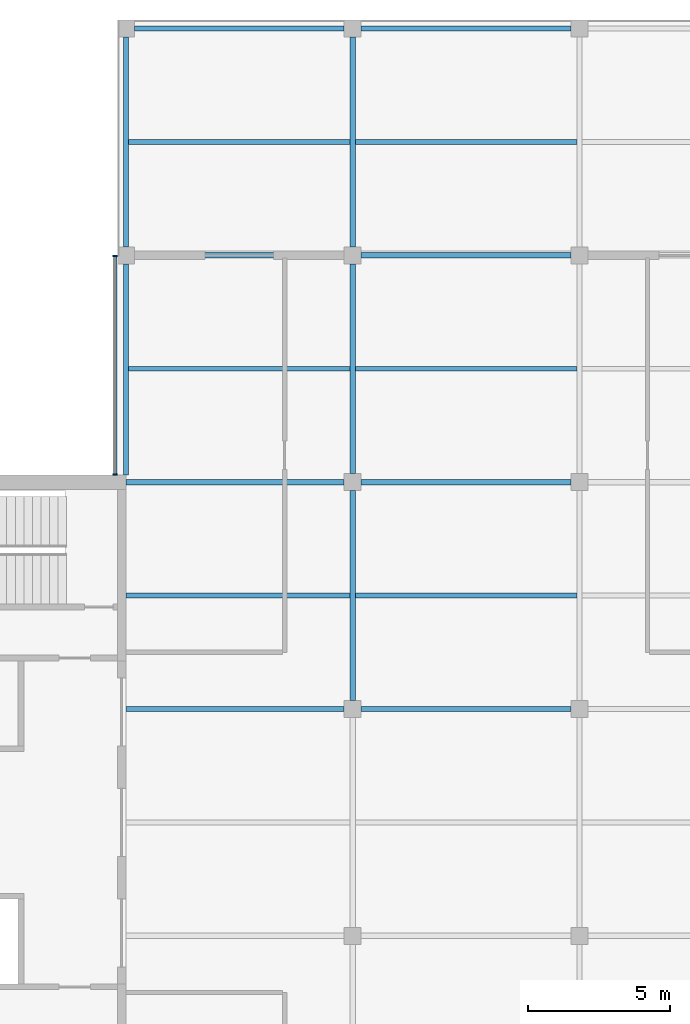
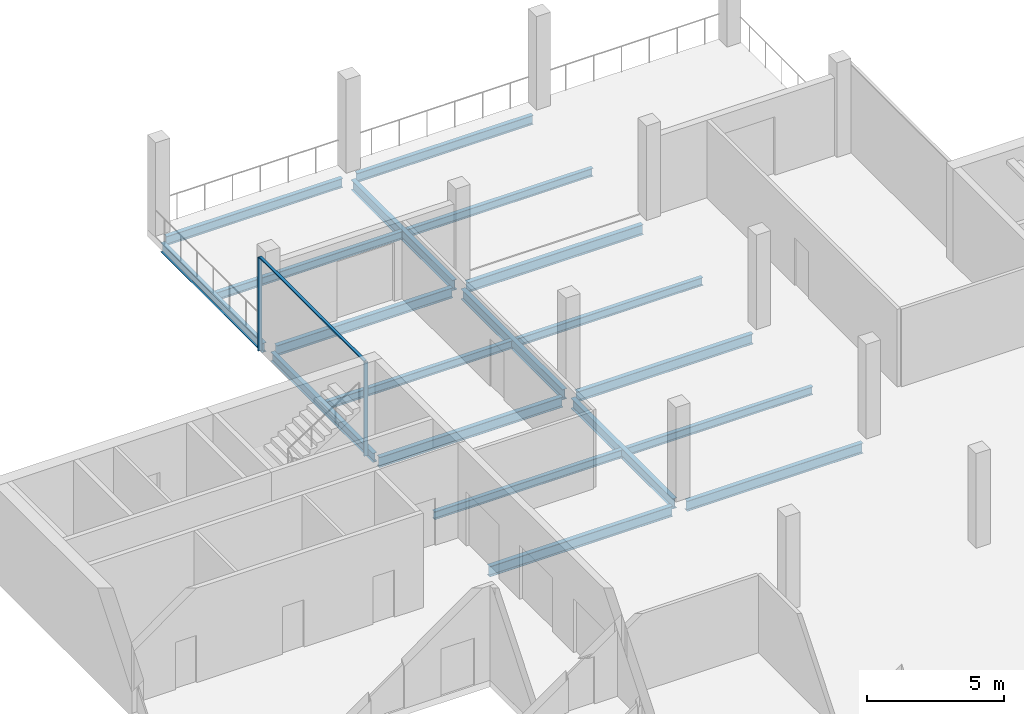
# One storey, part 5 of 12: 19 beams, 3 members, 1 element without a shape of its own.
"""IFC4 building model written with IfcOpenShell, lengths in metres."""

from ifc_helpers import new_model, si_unit, direction, frame, origin, origin_2d, place, context, subcontext, project, spatial, rectangle, i_section, extrude, material, material_profile, profile_set, type_object, element, aggregate, save


model = new_model("IFC4")

# Units and contexts
model_context = context("Model", 3, precision=1e-05, world=origin(), true_north=direction((0.0, 1.0)))
body_context = subcontext(model_context, "Body", "Model", "MODEL_VIEW")
ifc_project = project(units=[si_unit("LENGTHUNIT", "METRE"), si_unit("AREAUNIT", "SQUARE_METRE"), si_unit("VOLUMEUNIT", "CUBIC_METRE"), si_unit("PLANEANGLEUNIT", "RADIAN"), si_unit("MASSUNIT", "GRAM", prefix="KILO")], contexts=[model_context])

# Site, building, storey
site_placement = place(None, origin())
site = spatial("IfcSite", under=ifc_project, at=site_placement, CompositionType="ELEMENT")
building_placement = place(site_placement, origin())
building = spatial("IfcBuilding", under=site, at=building_placement, Name="Crosswind Convention Tower", CompositionType="ELEMENT")
storey_placement = place(building_placement, frame((0.0, 0.0, 328.10009765625)))
storey = spatial("IfcBuildingStorey", under=building, at=storey_placement, Name="L71", CompositionType="ELEMENT", Elevation=328.10009765625)

# Beams
ifc_material_1 = material(Name="Steel S355", Category="steel")
ifc_material_profile_1 = material_profile(ifc_material_1, i_section(OverallWidth=0.177734375, OverallDepth=0.406494140625, WebThickness=0.0078125, FlangeThickness=0.0126953125, FilletRadius=0.01025390625, at=origin_2d()), Name="UB 406x178x60")
ifc_profile_set_1 = profile_set([ifc_material_profile_1], Name="Steel S355")
beam_type_1 = type_object("IfcBeamType", Name="Edge beam UB 406x178x60", PredefinedType="SPANDREL", material=ifc_profile_set_1)
beam_1_placement = place(storey_placement, frame((113.0, 112.25, -0.50341796875), z_axis=(0.0, 1.0, 0.0), x_axis=(-1.0, 0.0, 0.0)))
element("IfcBeam", 1, at=beam_1_placement, inside=storey, type_object=beam_type_1, Name="B15 L71 edge beam 3", PredefinedType="SPANDREL", context=body_context, shape_type="SweptSolid", body=[
    extrude(i_section(OverallWidth=0.177734375, OverallDepth=0.406494140625, WebThickness=0.0078125, FlangeThickness=0.0126953125, FilletRadius=0.01025390625, at=origin_2d()), origin(), (0.0, 0.0, 1.0), 7.449951171875),
])
for number, where, z_axis, x_axis, name in (
    (2, (113.0, 120.300048828125, -0.50341796875), (0.0, 1.0, 0.0), (-1.0, 0.0, 0.0), "B15 L71 edge beam 4"),
    (3, (113.300048828125, 128.0, -0.50341796875), (1.0, 0.0, 0.0), (0.0, 1.0, 0.0), "B15 L71 edge beam 6"),
    (4, (121.300048828125, 128.0, -0.50341796875), (1.0, 0.0, 0.0), (0.0, 1.0, 0.0), "B15 L71 edge beam 8"),
):
    element("IfcBeam", number, at=place(storey_placement, frame(where, z_axis=z_axis, x_axis=x_axis)), inside=storey, type_object=beam_type_1, Name=name, PredefinedType="SPANDREL", context=body_context, shape_type="SweptSolid", body=[
        extrude(i_section(OverallWidth=0.177734375, OverallDepth=0.406494140625, WebThickness=0.0078125, FlangeThickness=0.0126953125, FilletRadius=0.01025390625, at=origin_2d()), origin(), (0.0, 0.0, 1.0), 7.39990234375),
    ])
ifc_material_profile_2 = material_profile(ifc_material_1, i_section(OverallWidth=0.18994140625, OverallDepth=0.45361328125, WebThickness=0.008544921875, FlangeThickness=0.0126953125, FilletRadius=0.01025390625, at=origin_2d()), Name="UB 457x191x67")
ifc_profile_set_2 = profile_set([ifc_material_profile_2], Name="Steel S355")
beam_type_2 = type_object("IfcBeamType", Name="Girder UB 457x191x67", PredefinedType="BEAM", material=ifc_profile_set_2)
for number, where, z_axis, x_axis, name in (
    (5, (113.300048828125, 120.0, -0.52685546875), (1.0, 0.0, 0.0), (0.0, 1.0, 0.0), "B1 L71 girder 2"),
    (6, (121.0, 104.300048828125, -0.52685546875), (0.0, 1.0, 0.0), (-1.0, 0.0, 0.0), "B1 L71 girder 7"),
    (7, (121.0, 112.300048828125, -0.52685546875), (0.0, 1.0, 0.0), (-1.0, 0.0, 0.0), "B1 L71 girder 8"),
    (8, (121.0, 120.300048828125, -0.52685546875), (0.0, 1.0, 0.0), (-1.0, 0.0, 0.0), "B1 L71 girder 9"),
    (9, (121.300048828125, 104.0, -0.52685546875), (1.0, 0.0, 0.0), (0.0, 1.0, 0.0), "B1 L71 girder 13"),
    (10, (121.300048828125, 112.0, -0.52685546875), (1.0, 0.0, 0.0), (0.0, 1.0, 0.0), "B1 L71 girder 14"),
    (11, (121.300048828125, 120.0, -0.52685546875), (1.0, 0.0, 0.0), (0.0, 1.0, 0.0), "B1 L71 girder 15"),
):
    element("IfcBeam", number, at=place(storey_placement, frame(where, z_axis=z_axis, x_axis=x_axis)), inside=storey, type_object=beam_type_2, Name=name, PredefinedType="BEAM", context=body_context, shape_type="SweptSolid", body=[
        extrude(i_section(OverallWidth=0.18994140625, OverallDepth=0.45361328125, WebThickness=0.008544921875, FlangeThickness=0.0126953125, FilletRadius=0.01025390625, at=origin_2d()), origin(), (0.0, 0.0, 1.0), 7.39990234375),
    ])
ifc_material_profile_3 = material_profile(ifc_material_1, i_section(OverallWidth=0.1904296875, OverallDepth=0.457275390625, WebThickness=0.009033203125, FlangeThickness=0.014404296875, FilletRadius=0.01025390625, at=origin_2d()), Name="UB 457x191x75")
ifc_profile_set_3 = profile_set([ifc_material_profile_3], Name="Steel S355")
beam_type_3 = type_object("IfcBeamType", Name="Girder at core wall UB 457x191x75", PredefinedType="BEAM", material=ifc_profile_set_3)
for number, where, z_axis, x_axis, name in (
    (12, (113.0, 104.0, -0.52880859375), (1.0, 0.0, 0.0), (0.0, 1.0, 0.0), "B22 L71 girder at core wall 3"),
    (13, (113.0, 112.0, -0.52880859375), (1.0, 0.0, 0.0), (0.0, 1.0, 0.0), "B22 L71 girder at core wall 4"),
):
    element("IfcBeam", number, at=place(storey_placement, frame(where, z_axis=z_axis, x_axis=x_axis)), inside=storey, type_object=beam_type_3, Name=name, PredefinedType="BEAM", context=body_context, shape_type="SweptSolid", body=[
        extrude(i_section(OverallWidth=0.1904296875, OverallDepth=0.457275390625, WebThickness=0.009033203125, FlangeThickness=0.014404296875, FilletRadius=0.01025390625, at=origin_2d()), origin(), (0.0, 0.0, 1.0), 7.699951171875),
    ])

# Curtain wall, members
ifc_material_2 = material(Name="Aluminium unitised curtain wall", Category="aluminium")
curtain_wall_type = type_object("IfcCurtainWallType", Name="CORE END SLOT WALL 160", PredefinedType="USERDEFINED", material=ifc_material_2)
curtain_wall_placement = place(storey_placement, origin())
curtain_wall = element("IfcCurtainWall", 14, at=curtain_wall_placement, inside=storey, type_object=curtain_wall_type, Name="CW6 L71 N-W.1-2 slot", ObjectType="UNITISED", PredefinedType="USERDEFINED")
ifc_material_3 = material(Name="Aluminium mullion", Category="aluminium")
ifc_material_profile_4 = material_profile(ifc_material_3, rectangle(XDim=0.159912109375, YDim=0.050048828125, at=origin_2d()), Name="AL 160X50")
ifc_profile_set_4 = profile_set([ifc_material_profile_4], Name="Aluminium mullion")
member_type_1 = type_object("IfcMemberType", Name="MULLION 50X160", PredefinedType="MULLION", material=ifc_profile_set_4)
member_1_placement = place(storey_placement, frame((112.6201171875, 119.97509765625, -0.300048828125), z_axis=(0.0, 0.0, 1.0), x_axis=(-1.0, 0.0, 0.0)))
member_1 = element("IfcMember", 15, at=member_1_placement, type_object=member_type_1, Name="CW6 mullion 1", PredefinedType="MULLION", context=body_context, shape_type="SweptSolid", body=[
    extrude(rectangle(XDim=0.159912109375, YDim=0.050048828125, at=origin_2d()), origin(), (0.0, 0.0, 1.0), 4.14990234375),
])
member_2_placement = place(storey_placement, frame((112.6201171875, 112.27490234375, -0.300048828125), z_axis=(0.0, 0.0, 1.0), x_axis=(-1.0, 0.0, 0.0)))
member_2 = element("IfcMember", 16, at=member_2_placement, type_object=member_type_1, Name="CW6 mullion 2", PredefinedType="MULLION", context=body_context, shape_type="SweptSolid", body=[
    extrude(rectangle(XDim=0.159912109375, YDim=0.050048828125, at=origin_2d()), origin(), (0.0, 0.0, 1.0), 4.14990234375),
])

# Beams
ifc_material_profile_5 = material_profile(ifc_material_1, i_section(OverallWidth=0.17138671875, OverallDepth=0.355712890625, WebThickness=0.00732421875, FlangeThickness=0.011474609375, FilletRadius=0.01025390625, at=origin_2d()), Name="UB 356x171x51")
ifc_profile_set_5 = profile_set([ifc_material_profile_5], Name="Steel S355")
beam_type_4 = type_object("IfcBeamType", Name="Secondary beam UB 356x171x51", PredefinedType="JOIST", material=ifc_profile_set_5)
beam_2_placement = place(storey_placement, frame((113.0, 108.0, -0.477783203125), z_axis=(1.0, 0.0, 0.0), x_axis=(0.0, 1.0, 0.0)))
element("IfcBeam", 17, at=beam_2_placement, inside=storey, type_object=beam_type_4, Name="B8 L71 secondary beam 3", PredefinedType="JOIST", context=body_context, shape_type="SweptSolid", body=[
    extrude(i_section(OverallWidth=0.17138671875, OverallDepth=0.355712890625, WebThickness=0.00732421875, FlangeThickness=0.011474609375, FilletRadius=0.01025390625, at=origin_2d()), origin(), (0.0, 0.0, 1.0), 7.905029296875),
])
for number, where, z_axis, x_axis, name in (
    (18, (113.0888671875, 116.0, -0.477783203125), (1.0, 0.0, 0.0), (0.0, 1.0, 0.0), "B8 L71 secondary beam 6"),
    (19, (113.0888671875, 124.0, -0.477783203125), (1.0, 0.0, 0.0), (0.0, 1.0, 0.0), "B8 L71 secondary beam 7"),
):
    element("IfcBeam", number, at=place(storey_placement, frame(where, z_axis=z_axis, x_axis=x_axis)), inside=storey, type_object=beam_type_4, Name=name, PredefinedType="JOIST", context=body_context, shape_type="SweptSolid", body=[
        extrude(i_section(OverallWidth=0.17138671875, OverallDepth=0.355712890625, WebThickness=0.00732421875, FlangeThickness=0.011474609375, FilletRadius=0.01025390625, at=origin_2d()), origin(), (0.0, 0.0, 1.0), 7.816162109375),
    ])
for number, where, z_axis, x_axis, name in (
    (20, (121.094970703125, 108.0, -0.477783203125), (1.0, 0.0, 0.0), (0.0, 1.0, 0.0), "B8 L71 secondary beam 12"),
    (21, (121.094970703125, 116.0, -0.477783203125), (1.0, 0.0, 0.0), (0.0, 1.0, 0.0), "B8 L71 secondary beam 13"),
    (22, (121.094970703125, 124.0, -0.477783203125), (1.0, 0.0, 0.0), (0.0, 1.0, 0.0), "B8 L71 secondary beam 14"),
):
    element("IfcBeam", number, at=place(storey_placement, frame(where, z_axis=z_axis, x_axis=x_axis)), inside=storey, type_object=beam_type_4, Name=name, PredefinedType="JOIST", context=body_context, shape_type="SweptSolid", body=[
        extrude(i_section(OverallWidth=0.17138671875, OverallDepth=0.355712890625, WebThickness=0.00732421875, FlangeThickness=0.011474609375, FilletRadius=0.01025390625, at=origin_2d()), origin(), (0.0, 0.0, 1.0), 7.81005859375),
    ])

# Member
ifc_material_4 = material(Name="Aluminium transom", Category="aluminium")
ifc_material_profile_6 = material_profile(ifc_material_4, rectangle(XDim=0.1201171875, YDim=0.050048828125, at=origin_2d()), Name="AL 120X50")
ifc_profile_set_6 = profile_set([ifc_material_profile_6], Name="Aluminium transom")
member_type_2 = type_object("IfcMemberType", Name="TRANSOM 50X120", PredefinedType="USERDEFINED", material=ifc_profile_set_6)
member_3_placement = place(storey_placement, frame((112.6201171875, 119.949951171875, 3.875), z_axis=(0.0, -1.0, 0.0), x_axis=(1.0, 0.0, 0.0)))
member_3 = element("IfcMember", 23, at=member_3_placement, type_object=member_type_2, Name="CW6 transom", ObjectType="TRANSOM", PredefinedType="USERDEFINED", context=body_context, shape_type="SweptSolid", body=[
    extrude(rectangle(XDim=0.1201171875, YDim=0.050048828125, at=origin_2d()), origin(), (0.0, 0.0, 1.0), 7.64990234375),
])

aggregate(curtain_wall, [member_1, member_2, member_3])

save(model, "model.ifc")
